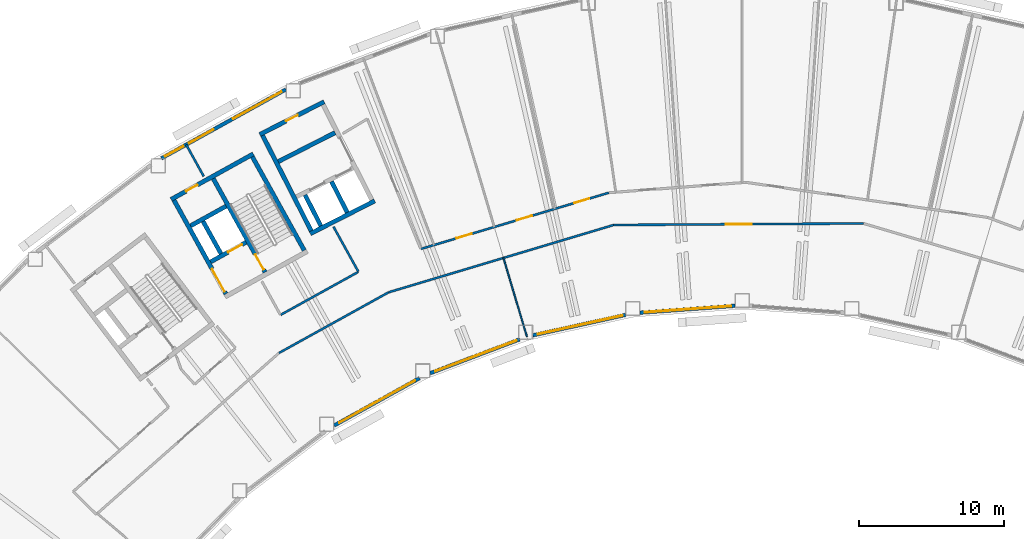
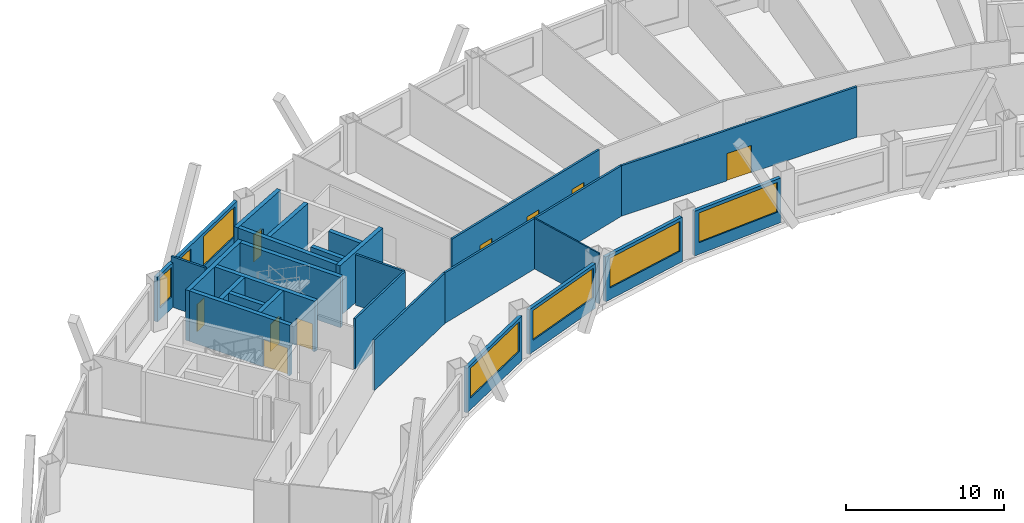
# One storey, part 4 of 11: 26 walls, 9 doors, 7 windows, 16 openings.
"""IFC4 building model written with IfcOpenShell, lengths in metres."""

import ifcopenshell
import ifcopenshell.guid

model = None  # the IFC model being written
_history = None  # IfcOwnerHistory: only IFC2X3 demands one
_inside = {}  # id of a spatial element -> (the spatial element, [elements in it])
_under = {}  # id of a project, library or spatial element -> (it, [spatial elements below it])
_declared = {}  # id of a project -> (the project, [libraries it declares])
_typed = {}  # id of a type object -> (the type object, [elements of that type])
_made_of = {}  # id of a material, layer set ... -> (it, [elements and type objects made of it])


def new_model(schema):
    """Start an empty IFC model of exactly this schema.

    Asked for "IFC4X3", IfcOpenShell would pick the latest addendum, in which some entities
    have other attributes; the version numbers below select the first issue.
    IFC2X3 requires an IfcOwnerHistory on every rooted entity: one is made here for all.
    """
    global model, _history
    if schema == "IFC4X3":
        model = ifcopenshell.file(schema_version=(4, 3, 0, 0))
    else:
        model = ifcopenshell.file(schema=schema)
    _inside.clear()
    _under.clear()
    _declared.clear()
    _typed.clear()
    _made_of.clear()
    _history = None
    if model.schema == "IFC2X3":
        org = make("IfcOrganization", Name="unknown")
        user = make(
            "IfcPersonAndOrganization",
            ThePerson=make("IfcPerson", FamilyName="unknown"),
            TheOrganization=org,
        )
        app = make(
            "IfcApplication",
            ApplicationDeveloper=org,
            Version="unknown",
            ApplicationFullName="unknown",
            ApplicationIdentifier="unknown",
        )
        _history = make(
            "IfcOwnerHistory",
            OwningUser=user,
            OwningApplication=app,
            ChangeAction="ADDED",
            CreationDate=0,
        )
    return model


def make(cls, **values):
    """One entity of the class cls with the attributes given. An attribute that is None is left unset."""
    return model.create_entity(
        cls, **{name: value for name, value in values.items() if value is not None}
    )


def rooted(cls, **values):
    """An entity with a GlobalId (a new one), such as an element, a storey or a relation."""
    return make(cls, GlobalId=ifcopenshell.guid.new(), OwnerHistory=_history, **values)


def si_unit(unit_type, name, prefix=None):
    """IfcSIUnit, for example si_unit("LENGTHUNIT", "METRE", prefix="MILLI")."""
    return make("IfcSIUnit", UnitType=unit_type, Prefix=prefix, Name=name)


def assignment(units):
    """IfcUnitAssignment: the units of a project."""
    return None if units is None else make("IfcUnitAssignment", Units=units)


def point(xyz):
    """IfcCartesianPoint."""
    return None if xyz is None else make("IfcCartesianPoint", Coordinates=xyz)


def direction(xyz):
    """IfcDirection."""
    return None if xyz is None else make("IfcDirection", DirectionRatios=xyz)


def frame(location, z_axis=None, x_axis=None):
    """IfcAxis2Placement3D, a coordinate frame: its origin and axes. An axis left out is left unset."""
    return make(
        "IfcAxis2Placement3D",
        Location=point(location),
        Axis=direction(z_axis),
        RefDirection=direction(x_axis),
    )


def frame_2d(location, x_axis=None):
    """IfcAxis2Placement2D, a coordinate frame in the plane: its origin and x axis."""
    return make(
        "IfcAxis2Placement2D", Location=point(location), RefDirection=direction(x_axis)
    )


def origin():
    """The frame at (0, 0, 0) with its axes left unset."""
    return frame((0.0, 0.0, 0.0))


def place(relative_to, where):
    """IfcLocalPlacement: puts the frame where relative to a parent placement (None: the world)."""
    return make(
        "IfcLocalPlacement", PlacementRelTo=relative_to, RelativePlacement=where
    )


def context(
    kind, dimensions, precision=None, world=None, true_north=None, identifier=None
):
    """IfcGeometricRepresentationContext, for example the 3D "Model" context."""
    return make(
        "IfcGeometricRepresentationContext",
        ContextIdentifier=identifier,
        ContextType=kind,
        CoordinateSpaceDimension=dimensions,
        Precision=precision,
        WorldCoordinateSystem=world,
        TrueNorth=true_north,
    )


def subcontext(parent, identifier, kind, view, scale=None):
    """IfcGeometricRepresentationSubContext, for example "Body" below "Model"."""
    return make(
        "IfcGeometricRepresentationSubContext",
        ContextIdentifier=identifier,
        ContextType=kind,
        ParentContext=parent,
        TargetScale=scale,
        TargetView=view,
    )


def project(units=None, contexts=None):
    """IfcProject with its units and contexts."""
    return rooted(
        "IfcProject",
        Name="project",
        RepresentationContexts=contexts,
        UnitsInContext=assignment(units),
    )


def spatial(cls, under=None, at=None, **own):
    """A site, building, storey or space (cls), placed at a placement, below another one or the project."""
    s = rooted(cls, ObjectPlacement=at, **own)
    if under is not None:
        _under.setdefault(under.id(), (under, []))[1].append(s)
    return s


def profile(cls, at=None, kind="AREA", **sizes):
    """A parametric profile (cls). Its sizes go by their IFC names, for example OverallWidth=200.0."""
    return make(cls, ProfileType=kind, Position=at, **sizes)


def rectangle(**sizes):
    """IfcRectangleProfileDef."""
    return profile("IfcRectangleProfileDef", **sizes)


def extrude(swept, where, along, depth):
    """IfcExtrudedAreaSolid: the profile swept, set in the frame where, extruded along a direction by depth."""
    return make(
        "IfcExtrudedAreaSolid",
        SweptArea=swept,
        Position=where,
        ExtrudedDirection=direction(along),
        Depth=depth,
    )


def shape(context_of_items, identifier, shape_type, items):
    """IfcShapeRepresentation: the items that make up one representation, for example the "Body"."""
    return make(
        "IfcShapeRepresentation",
        ContextOfItems=context_of_items,
        RepresentationIdentifier=identifier,
        RepresentationType=shape_type,
        Items=items,
    )


def material(Name=None, Category=None):
    """IfcMaterial."""
    return make("IfcMaterial", Name=Name, Category=Category)


def layer(
    of_material, thickness, ventilated=None, Name=None, Category=None, Priority=None
):
    """IfcMaterialLayer: one layer of a wall or slab, of a material (None: an air gap)."""
    return make(
        "IfcMaterialLayer",
        Material=of_material,
        LayerThickness=thickness,
        IsVentilated=ventilated,
        Name=Name,
        Category=Category,
        Priority=Priority,
    )


def layer_set(layers, Name=None):
    """IfcMaterialLayerSet."""
    return make("IfcMaterialLayerSet", MaterialLayers=layers, LayerSetName=Name)


def made_of(thing, what):
    """Note that an element or type object is made of a material, layer set ...; save() writes the relation."""
    if what is not None:
        _made_of.setdefault(what.id(), (what, []))[1].append(thing)
    return thing


def type_object(cls, material=None, **own):
    """A type object (cls), such as IfcWallType, which elements share."""
    return made_of(rooted(cls, **own), material)


def element(
    cls,
    number,
    at=None,
    inside=None,
    cuts=None,
    type_object=None,
    material=None,
    context=None,
    identifier="Body",
    shape_type=None,
    held_by="IfcProductDefinitionShape",
    body=None,
    shapes=None,
    **own,
):
    """One element of the class cls, such as IfcWall. Its Tag is "e" and its number.

    at: its placement. inside: the storey or other place that contains it. cuts: it is an
    opening in that element (IfcRelVoidsElement). A single representation is given by context,
    identifier, shape_type and body (its items); several are given by shapes. held_by: the class
    of the entity that holds the representations. save() writes the other relations.
    """
    e = rooted(cls, Tag="e%d" % number, ObjectPlacement=at, **own)
    if body is not None:
        shapes = [shape(context, identifier, shape_type, body)]
    if shapes is not None:
        e.Representation = make(held_by, Representations=shapes)
    if inside is not None:
        _inside.setdefault(inside.id(), (inside, []))[1].append(e)
    if cuts is not None:
        rooted(
            "IfcRelVoidsElement", RelatingBuildingElement=cuts, RelatedOpeningElement=e
        )
    if type_object is not None:
        _typed.setdefault(type_object.id(), (type_object, []))[1].append(e)
    return made_of(e, material)


def fill(opening, filler):
    """IfcRelFillsElement: the door or window that sits in an opening."""
    return rooted(
        "IfcRelFillsElement",
        RelatingOpeningElement=opening,
        RelatedBuildingElement=filler,
    )


def aggregate(whole, parts):
    """IfcRelAggregates: a whole, such as a stair, and the parts it consists of."""
    return rooted("IfcRelAggregates", RelatingObject=whole, RelatedObjects=parts)


def save(model, path):
    """Write the relations noted so far, then the file.

    IfcRelAggregates (storeys below a building ...), IfcRelContainedInSpatialStructure (elements
    in a storey), IfcRelDefinesByType, IfcRelAssociatesMaterial and IfcRelDeclares: one each for
    every whole, place, type object, material and project.
    """
    for whole, parts in _under.values():
        aggregate(whole, parts)
    for where, things in _inside.values():
        rooted(
            "IfcRelContainedInSpatialStructure",
            RelatedElements=things,
            RelatingStructure=where,
        )
    for kind, things in _typed.values():
        rooted("IfcRelDefinesByType", RelatedObjects=things, RelatingType=kind)
    for what, things in _made_of.values():
        rooted("IfcRelAssociatesMaterial", RelatedObjects=things, RelatingMaterial=what)
    for by, libraries in _declared.values():
        rooted("IfcRelDeclares", RelatingContext=by, RelatedDefinitions=libraries)
    model.write(path)


model = new_model("IFC4")

# Units and contexts
model_context = context("Model", 3, precision=1e-05, world=origin(), true_north=direction((0.0, 1.0)))
body_context = subcontext(model_context, "Body", "Model", "MODEL_VIEW")
ifc_project = project(units=[si_unit("LENGTHUNIT", "METRE"), si_unit("AREAUNIT", "SQUARE_METRE"), si_unit("VOLUMEUNIT", "CUBIC_METRE"), si_unit("PLANEANGLEUNIT", "RADIAN"), si_unit("MASSUNIT", "GRAM", prefix="KILO")], contexts=[model_context])

# Site, building, storey
site_placement = place(None, origin())
site = spatial("IfcSite", under=ifc_project, at=site_placement, CompositionType="ELEMENT")
building_placement = place(site_placement, origin())
building = spatial("IfcBuilding", under=site, at=building_placement, Name="Tuul Gate Civic Tower", CompositionType="ELEMENT")
storey_placement = place(building_placement, frame((0.0, 0.0, 138.199951171875)))
storey = spatial("IfcBuildingStorey", under=building, at=storey_placement, Name="Level 31", CompositionType="ELEMENT", Elevation=138.199951171875)

# Wall, opening, door
ifc_material_1 = material(Name="Concrete C50/60", Category="concrete")
ifc_layer_1 = layer(ifc_material_1, 0.300048828125)
ifc_layer_set_1 = layer_set([ifc_layer_1], Name="Concrete C50/60")
wall_type_1 = type_object("IfcWallType", Name="Core wall C50/60", PredefinedType="SHEAR", material=ifc_layer_set_1)
wall_1_placement = place(storey_placement, frame((-28.94580078125, -8.090087890625, 0.0), z_axis=(0.0, 0.0, 1.0), x_axis=(-0.874629840737, -0.484791338301, 0.0)))
wall_1 = element("IfcWall", 1, at=wall_1_placement, inside=storey, type_object=wall_type_1, Name="Core wall", PredefinedType="SHEAR", context=body_context, shape_type="SweptSolid", body=[
    extrude(rectangle(XDim=2.800048828125, YDim=0.300048828125, at=frame_2d((1.39990234375, 0.0))), origin(), (0.0, 0.0, 1.0), 3.900146484375),
])
opening_1_placement = place(wall_1_placement, frame((0.324951171875, 0.0, 0.0)))
opening_1 = element("IfcOpeningElement", 2, at=opening_1_placement, cuts=wall_1, Name="Opening LD-FF-1", PredefinedType="OPENING", context=body_context, shape_type="SweptSolid", body=[
    extrude(rectangle(XDim=1.10009765625, YDim=2.10009765625, at=frame_2d((0.550048828125, 1.050048828125))), frame((0.0, 0.16015625, 0.0), z_axis=(0.0, -1.0, 0.0), x_axis=(1.0, 0.0, 0.0)), (0.0, 0.0, 1.0), 0.320068359375),
])
ifc_material_2 = material(Name="Stainless steel", Category="steel")
door_type_1 = type_object("IfcDoorType", Name="Landing door", OperationType="DOUBLE_DOOR_SLIDING", PredefinedType="DOOR", material=ifc_material_2)
door_1_placement = place(opening_1_placement, origin())
door_1 = element("IfcDoor", 3, at=door_1_placement, inside=storey, type_object=door_type_1, Name="Fire-fighting lift FF-1 landing door", OperationType="DOUBLE_DOOR_SLIDING", OverallHeight=2.10009765625, OverallWidth=1.10009765625, PredefinedType="DOOR", context=body_context, shape_type="SweptSolid", body=[
    extrude(rectangle(XDim=1.10009765625, YDim=2.10009765625, at=frame_2d((0.550048828125, 1.050048828125))), frame((0.0, 0.02490234375, 0.0), z_axis=(0.0, -1.0, 0.0), x_axis=(1.0, 0.0, 0.0)), (0.0, 0.0, 1.0), 0.050048828125),
])
fill(opening_1, door_1)

# Wall
wall_2_placement = place(storey_placement, frame((-30.327392578125, -5.59716796875, 0.0), z_axis=(0.0, 0.0, 1.0), x_axis=(-0.874629840737, -0.484791338301, 0.0)))
element("IfcWall", 4, at=wall_2_placement, inside=storey, type_object=wall_type_1, Name="Core wall", PredefinedType="SHEAR", context=body_context, shape_type="SweptSolid", body=[
    extrude(rectangle(XDim=2.800048828125, YDim=0.300048828125, at=frame_2d((1.39990234375, 0.0))), origin(), (0.0, 0.0, 1.0), 3.900146484375),
])

# Wall, opening, door
wall_3_placement = place(storey_placement, frame((-28.4443359375, -1.98095703125, 0.0), z_axis=(0.0, 0.0, 1.0), x_axis=(-0.874629909008, -0.484791215132, 0.0)))
wall_3 = element("IfcWall", 5, at=wall_3_placement, inside=storey, type_object=wall_type_1, Name="Core wall", PredefinedType="SHEAR", context=body_context, shape_type="SweptSolid", body=[
    extrude(rectangle(XDim=6.5, YDim=0.300048828125, at=frame_2d((3.25, 0.0))), origin(), (0.0, 0.0, 1.0), 3.900146484375),
])
opening_2_placement = place(wall_3_placement, frame((4.425048828125, 0.0, 0.0)))
opening_2 = element("IfcOpeningElement", 6, at=opening_2_placement, cuts=wall_3, Name="Opening K-D23", PredefinedType="OPENING", context=body_context, shape_type="SweptSolid", body=[
    extrude(rectangle(XDim=0.89990234375, YDim=2.10009765625, at=frame_2d((0.449951171875, 1.050048828125))), frame((0.0, 0.16015625, 0.0), z_axis=(0.0, -1.0, 0.0), x_axis=(1.0, 0.0, 0.0)), (0.0, 0.0, 1.0), 0.320068359375),
])
ifc_material_3 = material(Name="Timber door leaf", Category="wood")
door_type_2 = type_object("IfcDoorType", Name="Door D09", OperationType="NOTDEFINED", PredefinedType="DOOR", material=ifc_material_3)
door_2_placement = place(opening_2_placement, origin())
door_2 = element("IfcDoor", 7, at=door_2_placement, inside=storey, type_object=door_type_2, Name="Door K-D23", OperationType="SINGLE_SWING_LEFT", OverallHeight=2.10009765625, OverallWidth=0.89990234375, PredefinedType="DOOR", context=body_context, shape_type="SweptSolid", body=[
    extrude(rectangle(XDim=0.89990234375, YDim=2.10009765625, at=frame_2d((0.449951171875, 1.050048828125))), frame((0.0, 0.02490234375, 0.0), z_axis=(0.0, -1.0, 0.0), x_axis=(1.0, 0.0, 0.0)), (0.0, 0.0, 1.0), 0.050048828125),
])
fill(opening_2, door_2)

# Wall
wall_4_placement = place(storey_placement, frame((-24.91552734375, -8.6572265625, 0.0), z_axis=(0.0, 0.0, 1.0), x_axis=(-0.484777133038, 0.874637714304, 0.0)))
element("IfcWall", 8, at=wall_4_placement, inside=storey, type_object=wall_type_1, Name="Core wall", PredefinedType="SHEAR", context=body_context, shape_type="SweptSolid", body=[
    extrude(rectangle(XDim=7.400146484375, YDim=0.300048828125, at=frame_2d((3.7001953125, 0.0))), origin(), (0.0, 0.0, 1.0), 3.900146484375),
])

# Wall, opening, door
wall_5_placement = place(storey_placement, frame((-27.626953125, -10.16015625, 0.0), z_axis=(0.0, 0.0, 1.0), x_axis=(-0.484751894226, 0.874651702704, 0.0)))
wall_5 = element("IfcWall", 9, at=wall_5_placement, inside=storey, type_object=wall_type_1, Name="Core wall", PredefinedType="SHEAR", context=body_context, shape_type="SweptSolid", body=[
    extrude(rectangle(XDim=7.39990234375, YDim=0.300048828125, at=frame_2d((3.699951171875, 0.0))), origin(), (0.0, 0.0, 1.0), 3.900146484375),
])
opening_3_placement = place(wall_5_placement, frame((0.199951171875, 0.0, 0.0)))
opening_3 = element("IfcOpeningElement", 10, at=opening_3_placement, cuts=wall_5, Name="Opening SD-ST-2", PredefinedType="OPENING", context=body_context, shape_type="SweptSolid", body=[
    extrude(rectangle(XDim=1.199951171875, YDim=2.10009765625, at=frame_2d((0.60009765625, 1.050048828125))), frame((0.0, 0.16015625, 0.0), z_axis=(0.0, -1.0, 0.0), x_axis=(1.0, 0.0, 0.0)), (0.0, 0.0, 1.0), 0.320068359375),
])
ifc_material_4 = material(Name="Steel", Category="steel")
door_type_3 = type_object("IfcDoorType", Name="Stair door", OperationType="NOTDEFINED", PredefinedType="DOOR", material=ifc_material_4)
door_3_placement = place(opening_3_placement, origin())
door_3 = element("IfcDoor", 11, at=door_3_placement, inside=storey, type_object=door_type_3, Name="Stair door ST-2", OperationType="SINGLE_SWING_LEFT", OverallHeight=2.10009765625, OverallWidth=1.199951171875, PredefinedType="DOOR", context=body_context, shape_type="SweptSolid", body=[
    extrude(rectangle(XDim=1.199951171875, YDim=2.10009765625, at=frame_2d((0.60009765625, 1.050048828125))), frame((0.0, 0.02490234375, 0.0), z_axis=(0.0, -1.0, 0.0), x_axis=(1.0, 0.0, 0.0)), (0.0, 0.0, 1.0), 0.050048828125),
])
fill(opening_3, door_3)

# Wall
wall_6_placement = place(storey_placement, frame((-30.680419921875, -8.8798828125, 0.0), z_axis=(0.0, 0.0, 1.0), x_axis=(-0.484724115216, 0.874667097888, 0.0)))
element("IfcWall", 12, at=wall_6_placement, inside=storey, type_object=wall_type_1, Name="Core wall", PredefinedType="SHEAR", context=body_context, shape_type="SweptSolid", body=[
    extrude(rectangle(XDim=2.550048828125, YDim=0.300048828125, at=frame_2d((1.27490234375, 0.0))), origin(), (0.0, 0.0, 1.0), 3.900146484375),
])

# Wall, opening, door
wall_7_placement = place(storey_placement, frame((-30.33837890625, -11.6630859375, 0.0), z_axis=(0.0, 0.0, 1.0), x_axis=(-0.484751894226, 0.874651702704, 0.0)))
wall_7 = element("IfcWall", 13, at=wall_7_placement, inside=storey, type_object=wall_type_1, Name="Core wall", PredefinedType="SHEAR", context=body_context, shape_type="SweptSolid", body=[
    extrude(rectangle(XDim=7.39990234375, YDim=0.300048828125, at=frame_2d((3.699951171875, 0.0))), origin(), (0.0, 0.0, 1.0), 3.900146484375),
])
opening_4_placement = place(wall_7_placement, frame((0.175048828125, 0.0, 0.0)))
opening_4 = element("IfcOpeningElement", 14, at=opening_4_placement, cuts=wall_7, Name="Opening LB-W2-FLOBBY-1", PredefinedType="OPENING", context=body_context, shape_type="SweptSolid", body=[
    extrude(rectangle(XDim=1.800048828125, YDim=2.10009765625, at=frame_2d((0.89990234375, 1.050048828125))), frame((0.0, 0.16015625, 0.0), z_axis=(0.0, -1.0, 0.0), x_axis=(1.0, 0.0, 0.0)), (0.0, 0.0, 1.0), 0.320068359375),
])
ifc_material_5 = material(Name="Steel", Category="steel")
door_type_4 = type_object("IfcDoorType", Name="Lobby door", OperationType="DOUBLE_DOOR_SINGLE_SWING", PredefinedType="DOOR", material=ifc_material_5)
door_4_placement = place(opening_4_placement, frame((1.800048828125, 0.0, 0.0), z_axis=(0.0, 0.0, 1.0), x_axis=(-1.0, 0.0, 0.0)))
door_4 = element("IfcDoor", 15, at=door_4_placement, inside=storey, type_object=door_type_4, Name="Lobby door W2-FLOBBY", OperationType="DOUBLE_DOOR_SINGLE_SWING", OverallHeight=2.10009765625, OverallWidth=1.800048828125, PredefinedType="DOOR", context=body_context, shape_type="SweptSolid", body=[
    extrude(rectangle(XDim=1.800048828125, YDim=2.10009765625, at=frame_2d((0.900146484375, 1.050048828125))), frame((0.0, 0.02490234375, 0.0), z_axis=(0.0, -1.0, 0.0), x_axis=(1.0, 0.0, 0.0)), (0.0, 0.0, 1.0), 0.050048828125),
])
fill(opening_4, door_4)

# Wall, openings, doors
ifc_material_6 = material(Name="Gypsum board partition")
ifc_layer_2 = layer(ifc_material_6, 0.14990234375)
ifc_layer_set_2 = layer_set([ifc_layer_2], Name="Gypsum board partition")
wall_type_2 = type_object("IfcWallType", Name="Corridor wall P150", PredefinedType="PARTITIONING", material=ifc_layer_set_2)
wall_8_placement = place(storey_placement, frame((-16.8408203125, -8.552490234375, 0.0), z_axis=(0.0, 0.0, 1.0), x_axis=(0.958034162582, 0.286654048158, 0.0)))
wall_8 = element("IfcWall", 16, at=wall_8_placement, inside=storey, type_object=wall_type_2, Name="p029", PredefinedType="PARTITIONING", context=body_context, shape_type="SweptSolid", body=[
    extrude(rectangle(XDim=13.559814453125, YDim=0.14990234375, at=frame_2d((6.77978515625, 0.0))), origin(), (0.0, 0.0, 1.0), 3.900146484375),
])
opening_5_placement = place(wall_8_placement, frame((11.0517578125, 0.0, 0.0)))
opening_5 = element("IfcOpeningElement", 17, at=opening_5_placement, cuts=wall_8, Name="Opening K-D12", PredefinedType="OPENING", context=body_context, shape_type="SweptSolid", body=[
    extrude(rectangle(XDim=1.10009765625, YDim=2.10009765625, at=frame_2d((0.550048828125, 1.050048828125))), frame((0.0, 0.0849609375, 0.0), z_axis=(0.0, -1.0, 0.0), x_axis=(1.0, 0.0, 0.0)), (0.0, 0.0, 1.0), 0.169921875),
])
opening_6_placement = place(wall_8_placement, frame((6.91552734375, 0.0, 0.0)))
opening_6 = element("IfcOpeningElement", 18, at=opening_6_placement, cuts=wall_8, Name="Opening K-D13", PredefinedType="OPENING", context=body_context, shape_type="SweptSolid", body=[
    extrude(rectangle(XDim=1.10009765625, YDim=2.10009765625, at=frame_2d((0.550048828125, 1.050048828125))), frame((0.0, 0.0849609375, 0.0), z_axis=(0.0, -1.0, 0.0), x_axis=(1.0, 0.0, 0.0)), (0.0, 0.0, 1.0), 0.169921875),
])
opening_7_placement = place(wall_8_placement, frame((2.560302734375, 0.0, 0.0)))
opening_7 = element("IfcOpeningElement", 19, at=opening_7_placement, cuts=wall_8, Name="Opening K-D14", PredefinedType="OPENING", context=body_context, shape_type="SweptSolid", body=[
    extrude(rectangle(XDim=1.10009765625, YDim=2.10009765625, at=frame_2d((0.550048828125, 1.050048828125))), frame((0.0, 0.0849609375, 0.0), z_axis=(0.0, -1.0, 0.0), x_axis=(1.0, 0.0, 0.0)), (0.0, 0.0, 1.0), 0.169921875),
])
ifc_material_7 = material(Name="Timber door leaf", Category="wood")
door_type_5 = type_object("IfcDoorType", Name="Door D11", OperationType="NOTDEFINED", PredefinedType="DOOR", material=ifc_material_7)
door_5_placement = place(opening_5_placement, origin())
door_5 = element("IfcDoor", 20, at=door_5_placement, inside=storey, type_object=door_type_5, Name="Door K-D12", OperationType="SINGLE_SWING_LEFT", OverallHeight=2.10009765625, OverallWidth=1.10009765625, PredefinedType="DOOR", context=body_context, shape_type="SweptSolid", body=[
    extrude(rectangle(XDim=1.10009765625, YDim=2.10009765625, at=frame_2d((0.550048828125, 1.050048828125))), frame((0.0, 0.02490234375, 0.0), z_axis=(0.0, -1.0, 0.0), x_axis=(1.0, 0.0, 0.0)), (0.0, 0.0, 1.0), 0.050048828125),
])
fill(opening_5, door_5)
door_6_placement = place(opening_6_placement, origin())
door_6 = element("IfcDoor", 21, at=door_6_placement, inside=storey, type_object=door_type_5, Name="Door K-D13", OperationType="SINGLE_SWING_RIGHT", OverallHeight=2.10009765625, OverallWidth=1.10009765625, PredefinedType="DOOR", context=body_context, shape_type="SweptSolid", body=[
    extrude(rectangle(XDim=1.10009765625, YDim=2.10009765625, at=frame_2d((0.550048828125, 1.050048828125))), frame((0.0, 0.02490234375, 0.0), z_axis=(0.0, -1.0, 0.0), x_axis=(1.0, 0.0, 0.0)), (0.0, 0.0, 1.0), 0.050048828125),
])
fill(opening_6, door_6)
door_7_placement = place(opening_7_placement, origin())
door_7 = element("IfcDoor", 22, at=door_7_placement, inside=storey, type_object=door_type_5, Name="Door K-D14", OperationType="SINGLE_SWING_RIGHT", OverallHeight=2.10009765625, OverallWidth=1.10009765625, PredefinedType="DOOR", context=body_context, shape_type="SweptSolid", body=[
    extrude(rectangle(XDim=1.10009765625, YDim=2.10009765625, at=frame_2d((0.550048828125, 1.050048828125))), frame((0.0, 0.02490234375, 0.0), z_axis=(0.0, -1.0, 0.0), x_axis=(1.0, 0.0, 0.0)), (0.0, 0.0, 1.0), 0.050048828125),
])
fill(opening_7, door_7)

# Walls
wall_9_placement = place(storey_placement, frame((-22.89453125, -7.02001953125, 0.0), z_axis=(0.0, 0.0, 1.0), x_axis=(0.484190544498, -0.874962580125, 0.0)))
element("IfcWall", 23, at=wall_9_placement, inside=storey, type_object=wall_type_2, Name="p035", PredefinedType="PARTITIONING", context=body_context, shape_type="SweptSolid", body=[
    extrude(rectangle(XDim=3.541259765625, YDim=0.14990234375, at=frame_2d((1.7705078125, 0.0))), origin(), (0.0, 0.0, 1.0), 3.900146484375),
])
wall_10_placement = place(storey_placement, frame((-26.547119140625, -13.11181640625, 0.0), z_axis=(0.0, 0.0, 1.0), x_axis=(0.874958951424, 0.484197101729, 0.0)))
element("IfcWall", 24, at=wall_10_placement, inside=storey, type_object=wall_type_2, Name="p036", PredefinedType="PARTITIONING", context=body_context, shape_type="SweptSolid", body=[
    extrude(rectangle(XDim=6.124755859375, YDim=0.14990234375, at=frame_2d((3.0625, 0.0))), origin(), (0.0, 0.0, 1.0), 3.900146484375),
])
wall_11_placement = place(storey_placement, frame((-33.086669921875, -1.337158203125, 0.0), z_axis=(0.0, 0.0, 1.0), x_axis=(0.484206989031, -0.874953479777, 0.0)))
element("IfcWall", 25, at=wall_11_placement, inside=storey, type_object=wall_type_2, Name="p037", PredefinedType="PARTITIONING", context=body_context, shape_type="SweptSolid", body=[
    extrude(rectangle(XDim=2.512939453125, YDim=0.14990234375, at=frame_2d((1.25634765625, 0.0))), origin(), (0.0, 0.0, 1.0), 3.900146484375),
])
wall_12_placement = place(storey_placement, frame((-19.08837890625, -11.555419921875, 0.0), z_axis=(0.0, 0.0, 1.0), x_axis=(0.958040996971, 0.286631205773, 0.0)))
element("IfcWall", 26, at=wall_12_placement, inside=storey, type_object=wall_type_2, Name="p050", PredefinedType="PARTITIONING", context=body_context, shape_type="SweptSolid", body=[
    extrude(rectangle(XDim=16.253173828125, YDim=0.14990234375, at=frame_2d((8.12646484375, 0.0))), origin(), (0.0, 0.0, 1.0), 3.900146484375),
])

# Wall, opening, door
wall_13_placement = place(storey_placement, frame((-3.51708984375, -6.896728515625, 0.0), z_axis=(0.0, 0.0, 1.0), x_axis=(0.9999814524, 0.006090554604, 0.0)))
wall_13 = element("IfcWall", 27, at=wall_13_placement, inside=storey, type_object=wall_type_2, Name="p051", PredefinedType="PARTITIONING", context=body_context, shape_type="SweptSolid", body=[
    extrude(rectangle(XDim=17.276611328125, YDim=0.14990234375, at=frame_2d((8.63818359375, 0.0))), origin(), (0.0, 0.0, 1.0), 3.900146484375),
])
opening_8_placement = place(wall_13_placement, frame((7.73828125, 0.0, 0.0)))
opening_8 = element("IfcOpeningElement", 28, at=opening_8_placement, cuts=wall_13, Name="Opening K-D19", PredefinedType="OPENING", context=body_context, shape_type="SweptSolid", body=[
    extrude(rectangle(XDim=1.800048828125, YDim=2.10009765625, at=frame_2d((0.89990234375, 1.050048828125))), frame((0.0, 0.0849609375, 0.0), z_axis=(0.0, -1.0, 0.0), x_axis=(1.0, 0.0, 0.0)), (0.0, 0.0, 1.0), 0.169921875),
])
ifc_material_8 = material(Name="Timber door leaf, double", Category="wood")
door_type_6 = type_object("IfcDoorType", Name="Door D18", OperationType="DOUBLE_DOOR_SINGLE_SWING", PredefinedType="DOOR", material=ifc_material_8)
door_8_placement = place(opening_8_placement, frame((1.800048828125, 0.0, 0.0), z_axis=(0.0, 0.0, 1.0), x_axis=(-1.0, 0.0, 0.0)))
door_8 = element("IfcDoor", 29, at=door_8_placement, inside=storey, type_object=door_type_6, Name="Door K-D19", OperationType="DOUBLE_DOOR_SINGLE_SWING", OverallHeight=2.10009765625, OverallWidth=1.800048828125, PredefinedType="DOOR", context=body_context, shape_type="SweptSolid", body=[
    extrude(rectangle(XDim=1.800048828125, YDim=2.10009765625, at=frame_2d((0.900146484375, 1.050048828125))), frame((0.0, 0.02490234375, 0.0), z_axis=(0.0, -1.0, 0.0), x_axis=(1.0, 0.0, 0.0)), (0.0, 0.0, 1.0), 0.050048828125),
])
fill(opening_8, door_8)

# Wall
wall_14_placement = place(storey_placement, frame((-26.6669921875, -15.749755859375, 0.0), z_axis=(0.0, 0.0, 1.0), x_axis=(0.87496443184, 0.484187198317, 0.0)))
element("IfcWall", 30, at=wall_14_placement, inside=storey, type_object=wall_type_2, Name="p052", PredefinedType="PARTITIONING", context=body_context, shape_type="SweptSolid", body=[
    extrude(rectangle(XDim=8.66162109375, YDim=0.14990234375, at=frame_2d((4.330810546875, 0.0))), origin(), (0.0, 0.0, 1.0), 3.900146484375),
])

# Wall, openings, windows
ifc_material_9 = material(Name="Precast concrete C40/50", Category="concrete")
ifc_layer_3 = layer(ifc_material_9, 0.25)
ifc_layer_set_3 = layer_set([ifc_layer_3], Name="Precast concrete C40/50")
wall_type_3 = type_object("IfcWallType", Name="External wall", PredefinedType="STANDARD", material=ifc_layer_set_3)
wall_15_placement = place(storey_placement, frame((-26.18994140625, 2.479736328125, 0.0), z_axis=(0.0, 0.0, 1.0), x_axis=(-0.874631968484, -0.484787499536, 0.0)))
wall_15 = element("IfcWall", 31, at=wall_15_placement, inside=storey, type_object=wall_type_3, Name="External wall", PredefinedType="STANDARD", context=body_context, shape_type="SweptSolid", body=[
    extrude(rectangle(XDim=9.8408203125, YDim=0.25, at=frame_2d((4.92041015625, 0.0))), origin(), (0.0, 0.0, 1.0), 3.449951171875),
])
opening_9_placement = place(wall_15_placement, frame((0.3359375, 0.0, 0.89990234375)))
opening_9 = element("IfcOpeningElement", 32, at=opening_9_placement, cuts=wall_15, Name="Opening W22", PredefinedType="OPENING", context=body_context, shape_type="SweptSolid", body=[
    extrude(rectangle(XDim=3.85009765625, YDim=2.300048828125, at=frame_2d((1.925048828125, 1.14990234375))), frame((0.0, 0.135009765625, 0.0), z_axis=(0.0, -1.0, 0.0), x_axis=(1.0, 0.0, 0.0)), (0.0, 0.0, 1.0), 0.27001953125),
])
opening_10_placement = place(wall_15_placement, frame((5.7197265625, 0.0, 0.89990234375)))
opening_10 = element("IfcOpeningElement", 33, at=opening_10_placement, cuts=wall_15, Name="Opening W46", PredefinedType="OPENING", context=body_context, shape_type="SweptSolid", body=[
    extrude(rectangle(XDim=1.949951171875, YDim=2.300048828125, at=frame_2d((0.97509765625, 1.14990234375))), frame((0.0, 0.135009765625, 0.0), z_axis=(0.0, -1.0, 0.0), x_axis=(1.0, 0.0, 0.0)), (0.0, 0.0, 1.0), 0.27001953125),
])
opening_11_placement = place(wall_15_placement, frame((8.0947265625, 0.0, 0.89990234375)))
opening_11 = element("IfcOpeningElement", 34, at=opening_11_placement, cuts=wall_15, Name="Opening W47", PredefinedType="OPENING", context=body_context, shape_type="SweptSolid", body=[
    extrude(rectangle(XDim=1.449951171875, YDim=2.300048828125, at=frame_2d((0.72509765625, 1.14990234375))), frame((0.0, 0.135009765625, 0.0), z_axis=(0.0, -1.0, 0.0), x_axis=(1.0, 0.0, 0.0)), (0.0, 0.0, 1.0), 0.27001953125),
])
ifc_material_10 = material(Name="Glass", Category="glass")
window_type_1 = type_object("IfcWindowType", Name="Window 1450 x 2300", PartitioningType="SINGLE_PANEL", PredefinedType="WINDOW", material=ifc_material_10)
window_1_placement = place(opening_11_placement, origin())
window_1 = element("IfcWindow", 35, at=window_1_placement, inside=storey, type_object=window_type_1, Name="Window", OverallHeight=2.300048828125, OverallWidth=1.449951171875, PartitioningType="SINGLE_PANEL", PredefinedType="WINDOW", context=body_context, shape_type="SweptSolid", body=[
    extrude(rectangle(XDim=1.449951171875, YDim=2.300048828125, at=frame_2d((0.72509765625, 1.14990234375))), frame((0.0, 0.030029296875, 0.0), z_axis=(0.0, -1.0, 0.0), x_axis=(1.0, 0.0, 0.0)), (0.0, 0.0, 1.0), 0.06005859375),
])
fill(opening_11, window_1)
ifc_material_11 = material(Name="Glass", Category="glass")
window_type_2 = type_object("IfcWindowType", Name="Window 1950 x 2300", PartitioningType="SINGLE_PANEL", PredefinedType="WINDOW", material=ifc_material_11)
window_2_placement = place(opening_10_placement, origin())
window_2 = element("IfcWindow", 36, at=window_2_placement, inside=storey, type_object=window_type_2, Name="Window", OverallHeight=2.300048828125, OverallWidth=1.949951171875, PartitioningType="SINGLE_PANEL", PredefinedType="WINDOW", context=body_context, shape_type="SweptSolid", body=[
    extrude(rectangle(XDim=1.949951171875, YDim=2.300048828125, at=frame_2d((0.97509765625, 1.14990234375))), frame((0.0, 0.030029296875, 0.0), z_axis=(0.0, -1.0, 0.0), x_axis=(1.0, 0.0, 0.0)), (0.0, 0.0, 1.0), 0.06005859375),
])
fill(opening_10, window_2)
ifc_material_12 = material(Name="Glass", Category="glass")
window_type_3 = type_object("IfcWindowType", Name="Window W22 3850 x 2300", PartitioningType="SINGLE_PANEL", PredefinedType="WINDOW", material=ifc_material_12)
window_3_placement = place(opening_9_placement, origin())
window_3 = element("IfcWindow", 37, at=window_3_placement, inside=storey, type_object=window_type_3, Name="Window", OverallHeight=2.300048828125, OverallWidth=3.85009765625, PartitioningType="SINGLE_PANEL", PredefinedType="WINDOW", context=body_context, shape_type="SweptSolid", body=[
    extrude(rectangle(XDim=3.85009765625, YDim=2.300048828125, at=frame_2d((1.925048828125, 1.14990234375))), frame((0.0, 0.030029296875, 0.0), z_axis=(0.0, -1.0, 0.0), x_axis=(1.0, 0.0, 0.0)), (0.0, 0.0, 1.0), 0.06005859375),
])
fill(opening_9, window_3)

# Wall, opening, window
wall_16_placement = place(storey_placement, frame((-22.85302734375, -20.766845703125, 0.0), z_axis=(0.0, 0.0, 1.0), x_axis=(0.874615488592, 0.484817230628, 0.0)))
wall_16 = element("IfcWall", 38, at=wall_16_placement, inside=storey, type_object=wall_type_3, Name="External wall", PredefinedType="STANDARD", context=body_context, shape_type="SweptSolid", body=[
    extrude(rectangle(XDim=6.7548828125, YDim=0.25, at=frame_2d((3.37744140625, 0.0))), origin(), (0.0, 0.0, 1.0), 3.449951171875),
])
opening_12_placement = place(wall_16_placement, frame((0.40478515625, 0.0, 0.89990234375)))
opening_12 = element("IfcOpeningElement", 39, at=opening_12_placement, cuts=wall_16, Name="Opening W26", PredefinedType="OPENING", context=body_context, shape_type="SweptSolid", body=[
    extrude(rectangle(XDim=6.0, YDim=2.300048828125, at=frame_2d((3.0, 1.14990234375))), frame((0.0, 0.135009765625, 0.0), z_axis=(0.0, -1.0, 0.0), x_axis=(1.0, 0.0, 0.0)), (0.0, 0.0, 1.0), 0.27001953125),
])
ifc_material_13 = material(Name="Glass", Category="glass")
window_type_4 = type_object("IfcWindowType", Name="Window W26 6000 x 2300", PartitioningType="SINGLE_PANEL", PredefinedType="WINDOW", material=ifc_material_13)
window_4_placement = place(opening_12_placement, origin())
window_4 = element("IfcWindow", 40, at=window_4_placement, inside=storey, type_object=window_type_4, Name="Window", OverallHeight=2.300048828125, OverallWidth=6.0, PartitioningType="SINGLE_PANEL", PredefinedType="WINDOW", context=body_context, shape_type="SweptSolid", body=[
    extrude(rectangle(XDim=6.0, YDim=2.300048828125, at=frame_2d((3.0, 1.14990234375))), frame((0.0, 0.030029296875, 0.0), z_axis=(0.0, -1.0, 0.0), x_axis=(1.0, 0.0, 0.0)), (0.0, 0.0, 1.0), 0.06005859375),
])
fill(opening_12, window_4)

wall_17_placement = place(storey_placement, frame((-16.212890625, -17.150146484375, 0.0), z_axis=(0.0, 0.0, 1.0), x_axis=(0.935354811562, 0.353710865662, 0.0)))
wall_17 = element("IfcWall", 41, at=wall_17_placement, inside=storey, type_object=wall_type_3, Name="External wall", PredefinedType="STANDARD", context=body_context, shape_type="SweptSolid", body=[
    extrude(rectangle(XDim=6.624755859375, YDim=0.25, at=frame_2d((3.3125, 0.0))), origin(), (0.0, 0.0, 1.0), 3.449951171875),
])
opening_13_placement = place(wall_17_placement, frame((0.384521484375, 0.0, 0.89990234375)))
opening_13 = element("IfcOpeningElement", 42, at=opening_13_placement, cuts=wall_17, Name="Opening W26", PredefinedType="OPENING", context=body_context, shape_type="SweptSolid", body=[
    extrude(rectangle(XDim=6.0, YDim=2.300048828125, at=frame_2d((3.0, 1.14990234375))), frame((0.0, 0.135009765625, 0.0), z_axis=(0.0, -1.0, 0.0), x_axis=(1.0, 0.0, 0.0)), (0.0, 0.0, 1.0), 0.27001953125),
])
window_5_placement = place(opening_13_placement, origin())
window_5 = element("IfcWindow", 43, at=window_5_placement, inside=storey, type_object=window_type_4, Name="Window", OverallHeight=2.300048828125, OverallWidth=6.0, PartitioningType="SINGLE_PANEL", PredefinedType="WINDOW", context=body_context, shape_type="SweptSolid", body=[
    extrude(rectangle(XDim=6.0, YDim=2.300048828125, at=frame_2d((3.0, 1.14990234375))), frame((0.0, 0.030029296875, 0.0), z_axis=(0.0, -1.0, 0.0), x_axis=(1.0, 0.0, 0.0)), (0.0, 0.0, 1.0), 0.06005859375),
])
fill(opening_13, window_5)

wall_18_placement = place(storey_placement, frame((-9.112060546875, -14.529296875, 0.0), z_axis=(0.0, 0.0, 1.0), x_axis=(0.976557337415, 0.215257442942, 0.0)))
wall_18 = element("IfcWall", 44, at=wall_18_placement, inside=storey, type_object=wall_type_3, Name="External wall", PredefinedType="STANDARD", context=body_context, shape_type="SweptSolid", body=[
    extrude(rectangle(XDim=6.568115234375, YDim=0.25, at=frame_2d((3.2841796875, 0.0))), origin(), (0.0, 0.0, 1.0), 3.449951171875),
])
opening_14_placement = place(wall_18_placement, frame((0.355712890625, 0.0, 0.89990234375)))
opening_14 = element("IfcOpeningElement", 45, at=opening_14_placement, cuts=wall_18, Name="Opening W26", PredefinedType="OPENING", context=body_context, shape_type="SweptSolid", body=[
    extrude(rectangle(XDim=6.0, YDim=2.300048828125, at=frame_2d((3.0, 1.14990234375))), frame((0.0, 0.135009765625, 0.0), z_axis=(0.0, -1.0, 0.0), x_axis=(1.0, 0.0, 0.0)), (0.0, 0.0, 1.0), 0.27001953125),
])
window_6_placement = place(opening_14_placement, origin())
window_6 = element("IfcWindow", 46, at=window_6_placement, inside=storey, type_object=window_type_4, Name="Window", OverallHeight=2.300048828125, OverallWidth=6.0, PartitioningType="SINGLE_PANEL", PredefinedType="WINDOW", context=body_context, shape_type="SweptSolid", body=[
    extrude(rectangle(XDim=6.0, YDim=2.300048828125, at=frame_2d((3.0, 1.14990234375))), frame((0.0, 0.030029296875, 0.0), z_axis=(0.0, -1.0, 0.0), x_axis=(1.0, 0.0, 0.0)), (0.0, 0.0, 1.0), 0.06005859375),
])
fill(opening_14, window_6)

wall_19_placement = place(storey_placement, frame((-1.697998046875, -12.962158203125, 0.0), z_axis=(0.0, 0.0, 1.0), x_axis=(0.997383866909, 0.072287080662, 0.0)))
wall_19 = element("IfcWall", 47, at=wall_19_placement, inside=storey, type_object=wall_type_3, Name="External wall", PredefinedType="STANDARD", context=body_context, shape_type="SweptSolid", body=[
    extrude(rectangle(XDim=6.58935546875, YDim=0.25, at=frame_2d((3.294677734375, 0.0))), origin(), (0.0, 0.0, 1.0), 3.449951171875),
])
opening_15_placement = place(wall_19_placement, frame((0.318115234375, 0.0, 0.89990234375)))
opening_15 = element("IfcOpeningElement", 48, at=opening_15_placement, cuts=wall_19, Name="Opening W26", PredefinedType="OPENING", context=body_context, shape_type="SweptSolid", body=[
    extrude(rectangle(XDim=6.0, YDim=2.300048828125, at=frame_2d((3.0, 1.14990234375))), frame((0.0, 0.135009765625, 0.0), z_axis=(0.0, -1.0, 0.0), x_axis=(1.0, 0.0, 0.0)), (0.0, 0.0, 1.0), 0.27001953125),
])
window_7_placement = place(opening_15_placement, origin())
window_7 = element("IfcWindow", 49, at=window_7_placement, inside=storey, type_object=window_type_4, Name="Window", OverallHeight=2.300048828125, OverallWidth=6.0, PartitioningType="SINGLE_PANEL", PredefinedType="WINDOW", context=body_context, shape_type="SweptSolid", body=[
    extrude(rectangle(XDim=6.0, YDim=2.300048828125, at=frame_2d((3.0, 1.14990234375))), frame((0.0, 0.030029296875, 0.0), z_axis=(0.0, -1.0, 0.0), x_axis=(1.0, 0.0, 0.0)), (0.0, 0.0, 1.0), 0.06005859375),
])
fill(opening_15, window_7)

# Walls
ifc_material_14 = material(Name="Concrete C40/50", Category="concrete")
ifc_layer_4 = layer(ifc_material_14, 0.300048828125)
ifc_layer_set_4 = layer_set([ifc_layer_4], Name="Concrete C40/50")
wall_type_4 = type_object("IfcWallType", Name="Lift shaft wall C40/50", PredefinedType="STANDARD", material=ifc_layer_set_4)
wall_20_placement = place(storey_placement, frame((-20.049072265625, -5.232421875, 0.0), z_axis=(0.0, 0.0, 1.0), x_axis=(-0.891002976909, -0.453997461601, 0.0)))
element("IfcWall", 50, at=wall_20_placement, inside=storey, type_object=wall_type_4, Name="Shaft wall", PredefinedType="STANDARD", context=body_context, shape_type="SweptSolid", body=[
    extrude(rectangle(XDim=5.0, YDim=0.300048828125, at=frame_2d((2.5, 0.0))), origin(), (0.0, 0.0, 1.0), 3.900146484375),
])
wall_21_placement = place(storey_placement, frame((-22.790771484375, -0.5126953125, 0.0), z_axis=(0.0, 0.0, 1.0), x_axis=(-0.891005618941, -0.453992276384, 0.0)))
element("IfcWall", 51, at=wall_21_placement, inside=storey, type_object=wall_type_4, Name="Shaft wall", PredefinedType="STANDARD", context=body_context, shape_type="SweptSolid", body=[
    extrude(rectangle(XDim=4.39990234375, YDim=0.300048828125, at=frame_2d((2.199951171875, 0.0))), origin(), (0.0, 0.0, 1.0), 3.900146484375),
])

# Wall, opening, door
wall_22_placement = place(storey_placement, frame((-23.544921875, 1.62841796875, 0.0), z_axis=(0.0, 0.0, 1.0), x_axis=(-0.891002976909, -0.453997461601, 0.0)))
wall_22 = element("IfcWall", 52, at=wall_22_placement, inside=storey, type_object=wall_type_4, Name="Shaft wall", PredefinedType="STANDARD", context=body_context, shape_type="SweptSolid", body=[
    extrude(rectangle(XDim=5.0, YDim=0.300048828125, at=frame_2d((2.5, 0.0))), origin(), (0.0, 0.0, 1.0), 3.900146484375),
])
opening_16_placement = place(wall_22_placement, frame((2.050048828125, 0.0, 0.0)))
opening_16 = element("IfcOpeningElement", 53, at=opening_16_placement, cuts=wall_22, Name="Opening K-D28", PredefinedType="OPENING", context=body_context, shape_type="SweptSolid", body=[
    extrude(rectangle(XDim=0.89990234375, YDim=2.10009765625, at=frame_2d((0.449951171875, 1.050048828125))), frame((0.0, 0.16015625, 0.0), z_axis=(0.0, -1.0, 0.0), x_axis=(1.0, 0.0, 0.0)), (0.0, 0.0, 1.0), 0.320068359375),
])
door_9_placement = place(opening_16_placement, origin())
door_9 = element("IfcDoor", 54, at=door_9_placement, inside=storey, type_object=door_type_2, Name="Door K-D28", OperationType="SINGLE_SWING_LEFT", OverallHeight=2.10009765625, OverallWidth=0.89990234375, PredefinedType="DOOR", context=body_context, shape_type="SweptSolid", body=[
    extrude(rectangle(XDim=0.89990234375, YDim=2.10009765625, at=frame_2d((0.449951171875, 1.050048828125))), frame((0.0, 0.02490234375, 0.0), z_axis=(0.0, -1.0, 0.0), x_axis=(1.0, 0.0, 0.0)), (0.0, 0.0, 1.0), 0.050048828125),
])
fill(opening_16, door_9)

# Walls
for number, where, z_axis, x_axis, name in (
    (55, (-21.94384765625, -6.029296875, 0.0), (0.0, 0.0, 1.0), (-0.45403702923, 0.890982814698, 0.0), "Shaft wall"),
    (56, (-23.770263671875, -6.960205078125, 0.0), (0.0, 0.0, 1.0), (-0.45399587725, 0.891003784189, 0.0), "Shaft wall"),
):
    element("IfcWall", number, at=place(storey_placement, frame(where, z_axis=z_axis, x_axis=x_axis)), inside=storey, type_object=wall_type_4, Name=name, PredefinedType="STANDARD", context=body_context, shape_type="SweptSolid", body=[
        extrude(rectangle(XDim=2.39990234375, YDim=0.300048828125, at=frame_2d((1.199951171875, 0.0))), origin(), (0.0, 0.0, 1.0), 3.900146484375),
    ])
wall_23_placement = place(storey_placement, frame((-24.438720703125, -7.300537109375, 0.0), z_axis=(0.0, 0.0, 1.0), x_axis=(-0.453984101083, 0.891009784438, 0.0)))
element("IfcWall", 57, at=wall_23_placement, inside=storey, type_object=wall_type_4, Name="Shaft wall", PredefinedType="STANDARD", context=body_context, shape_type="SweptSolid", body=[
    extrude(rectangle(XDim=7.399658203125, YDim=0.300048828125, at=frame_2d((3.69970703125, 0.0))), origin(), (0.0, 0.0, 1.0), 3.900146484375),
])
ifc_material_15 = material(Name="Gypsum board partition")
ifc_layer_5 = layer(ifc_material_15, 0.10009765625)
ifc_layer_set_5 = layer_set([ifc_layer_5], Name="Gypsum board partition")
wall_type_5 = type_object("IfcWallType", Name="Partition P100", PredefinedType="PARTITIONING", material=ifc_layer_set_5)
wall_24_placement = place(storey_placement, frame((-11.13818359375, -9.177001953125, 0.0), z_axis=(0.0, 0.0, 1.0), x_axis=(0.285218827463, -0.958462425169, 0.0)))
element("IfcWall", 58, at=wall_24_placement, inside=storey, type_object=wall_type_5, Name="p031", PredefinedType="PARTITIONING", context=body_context, shape_type="SweptSolid", body=[
    extrude(rectangle(XDim=5.682861328125, YDim=0.10009765625, at=frame_2d((2.84130859375, 0.0))), origin(), (0.0, 0.0, 1.0), 3.900146484375),
])

save(model, "model.ifc")
